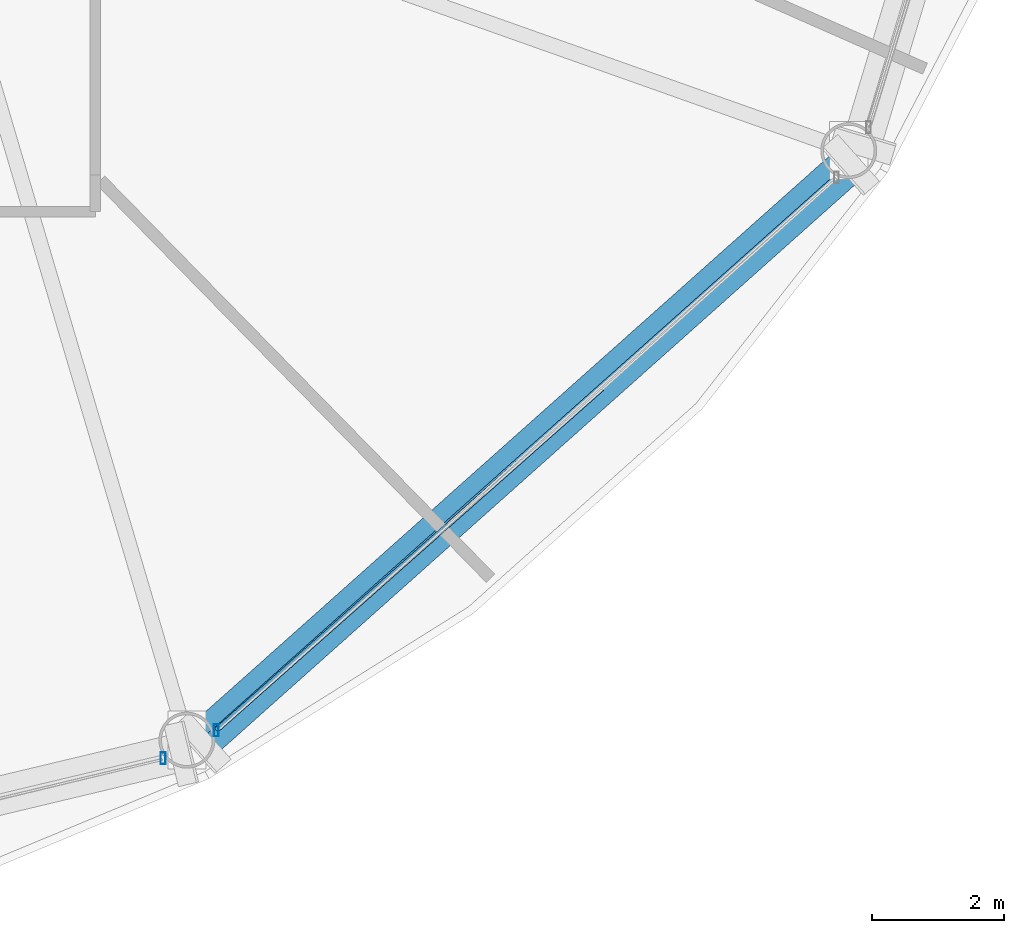
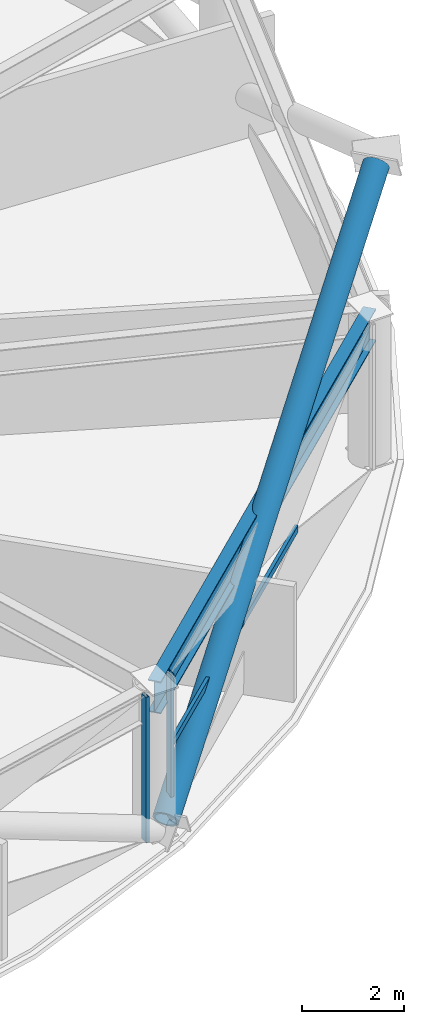
# One storey, part 8 of 30: 4 members, 1 beam, 2 elements without a shape of their own.
"""IFC4 building model written with IfcOpenShell, lengths in metres."""

import ifcopenshell
import ifcopenshell.guid

model = None  # the IFC model being written
_history = None  # IfcOwnerHistory: only IFC2X3 demands one
_inside = {}  # id of a spatial element -> (the spatial element, [elements in it])
_under = {}  # id of a project, library or spatial element -> (it, [spatial elements below it])
_declared = {}  # id of a project -> (the project, [libraries it declares])
_typed = {}  # id of a type object -> (the type object, [elements of that type])
_made_of = {}  # id of a material, layer set ... -> (it, [elements and type objects made of it])


def new_model(schema):
    """Start an empty IFC model of exactly this schema.

    Asked for "IFC4X3", IfcOpenShell would pick the latest addendum, in which some entities
    have other attributes; the version numbers below select the first issue.
    IFC2X3 requires an IfcOwnerHistory on every rooted entity: one is made here for all.
    """
    global model, _history
    if schema == "IFC4X3":
        model = ifcopenshell.file(schema_version=(4, 3, 0, 0))
    else:
        model = ifcopenshell.file(schema=schema)
    _inside.clear()
    _under.clear()
    _declared.clear()
    _typed.clear()
    _made_of.clear()
    _history = None
    if model.schema == "IFC2X3":
        org = make("IfcOrganization", Name="unknown")
        user = make(
            "IfcPersonAndOrganization",
            ThePerson=make("IfcPerson", FamilyName="unknown"),
            TheOrganization=org,
        )
        app = make(
            "IfcApplication",
            ApplicationDeveloper=org,
            Version="unknown",
            ApplicationFullName="unknown",
            ApplicationIdentifier="unknown",
        )
        _history = make(
            "IfcOwnerHistory",
            OwningUser=user,
            OwningApplication=app,
            ChangeAction="ADDED",
            CreationDate=0,
        )
    return model


def make(cls, **values):
    """One entity of the class cls with the attributes given. An attribute that is None is left unset."""
    return model.create_entity(
        cls, **{name: value for name, value in values.items() if value is not None}
    )


def rooted(cls, **values):
    """An entity with a GlobalId (a new one), such as an element, a storey or a relation."""
    return make(cls, GlobalId=ifcopenshell.guid.new(), OwnerHistory=_history, **values)


def si_unit(unit_type, name, prefix=None):
    """IfcSIUnit, for example si_unit("LENGTHUNIT", "METRE", prefix="MILLI")."""
    return make("IfcSIUnit", UnitType=unit_type, Prefix=prefix, Name=name)


def assignment(units):
    """IfcUnitAssignment: the units of a project."""
    return None if units is None else make("IfcUnitAssignment", Units=units)


def point(xyz):
    """IfcCartesianPoint."""
    return None if xyz is None else make("IfcCartesianPoint", Coordinates=xyz)


def direction(xyz):
    """IfcDirection."""
    return None if xyz is None else make("IfcDirection", DirectionRatios=xyz)


def frame(location, z_axis=None, x_axis=None):
    """IfcAxis2Placement3D, a coordinate frame: its origin and axes. An axis left out is left unset."""
    return make(
        "IfcAxis2Placement3D",
        Location=point(location),
        Axis=direction(z_axis),
        RefDirection=direction(x_axis),
    )


def frame_2d(location, x_axis=None):
    """IfcAxis2Placement2D, a coordinate frame in the plane: its origin and x axis."""
    return make(
        "IfcAxis2Placement2D", Location=point(location), RefDirection=direction(x_axis)
    )


def origin():
    """The frame at (0, 0, 0) with its axes left unset."""
    return frame((0.0, 0.0, 0.0))


def origin_2d():
    """The frame at (0, 0) in the plane with its x axis left unset."""
    return frame_2d((0.0, 0.0))


def place(relative_to, where):
    """IfcLocalPlacement: puts the frame where relative to a parent placement (None: the world)."""
    return make(
        "IfcLocalPlacement", PlacementRelTo=relative_to, RelativePlacement=where
    )


def context(
    kind, dimensions, precision=None, world=None, true_north=None, identifier=None
):
    """IfcGeometricRepresentationContext, for example the 3D "Model" context."""
    return make(
        "IfcGeometricRepresentationContext",
        ContextIdentifier=identifier,
        ContextType=kind,
        CoordinateSpaceDimension=dimensions,
        Precision=precision,
        WorldCoordinateSystem=world,
        TrueNorth=true_north,
    )


def subcontext(parent, identifier, kind, view, scale=None):
    """IfcGeometricRepresentationSubContext, for example "Body" below "Model"."""
    return make(
        "IfcGeometricRepresentationSubContext",
        ContextIdentifier=identifier,
        ContextType=kind,
        ParentContext=parent,
        TargetScale=scale,
        TargetView=view,
    )


def project(units=None, contexts=None):
    """IfcProject with its units and contexts."""
    return rooted(
        "IfcProject",
        Name="project",
        RepresentationContexts=contexts,
        UnitsInContext=assignment(units),
    )


def spatial(cls, under=None, at=None, **own):
    """A site, building, storey or space (cls), placed at a placement, below another one or the project."""
    s = rooted(cls, ObjectPlacement=at, **own)
    if under is not None:
        _under.setdefault(under.id(), (under, []))[1].append(s)
    return s


def profile(cls, at=None, kind="AREA", **sizes):
    """A parametric profile (cls). Its sizes go by their IFC names, for example OverallWidth=200.0."""
    return make(cls, ProfileType=kind, Position=at, **sizes)


def hollow_rectangle(**sizes):
    """IfcRectangleHollowProfileDef."""
    return profile("IfcRectangleHollowProfileDef", **sizes)


def hollow_circle(**sizes):
    """IfcCircleHollowProfileDef."""
    return profile("IfcCircleHollowProfileDef", **sizes)


def i_section(**sizes):
    """IfcIShapeProfileDef."""
    return profile("IfcIShapeProfileDef", **sizes)


def extrude(swept, where, along, depth):
    """IfcExtrudedAreaSolid: the profile swept, set in the frame where, extruded along a direction by depth."""
    return make(
        "IfcExtrudedAreaSolid",
        SweptArea=swept,
        Position=where,
        ExtrudedDirection=direction(along),
        Depth=depth,
    )


def shape(context_of_items, identifier, shape_type, items):
    """IfcShapeRepresentation: the items that make up one representation, for example the "Body"."""
    return make(
        "IfcShapeRepresentation",
        ContextOfItems=context_of_items,
        RepresentationIdentifier=identifier,
        RepresentationType=shape_type,
        Items=items,
    )


def material(Name=None, Category=None):
    """IfcMaterial."""
    return make("IfcMaterial", Name=Name, Category=Category)


def layer(
    of_material, thickness, ventilated=None, Name=None, Category=None, Priority=None
):
    """IfcMaterialLayer: one layer of a wall or slab, of a material (None: an air gap)."""
    return make(
        "IfcMaterialLayer",
        Material=of_material,
        LayerThickness=thickness,
        IsVentilated=ventilated,
        Name=Name,
        Category=Category,
        Priority=Priority,
    )


def layer_set(layers, Name=None):
    """IfcMaterialLayerSet."""
    return make("IfcMaterialLayerSet", MaterialLayers=layers, LayerSetName=Name)


def material_profile(
    of_material, cross_section, Name=None, Category=None, Priority=None
):
    """IfcMaterialProfile: a cross section and its material."""
    return make(
        "IfcMaterialProfile",
        Name=Name,
        Material=of_material,
        Profile=cross_section,
        Priority=Priority,
        Category=Category,
    )


def profile_set(profiles, Name=None, composite=None):
    """IfcMaterialProfileSet."""
    return make(
        "IfcMaterialProfileSet",
        Name=Name,
        MaterialProfiles=profiles,
        CompositeProfile=composite,
    )


def made_of(thing, what):
    """Note that an element or type object is made of a material, layer set ...; save() writes the relation."""
    if what is not None:
        _made_of.setdefault(what.id(), (what, []))[1].append(thing)
    return thing


def type_object(cls, material=None, **own):
    """A type object (cls), such as IfcWallType, which elements share."""
    return made_of(rooted(cls, **own), material)


def element(
    cls,
    number,
    at=None,
    inside=None,
    cuts=None,
    type_object=None,
    material=None,
    context=None,
    identifier="Body",
    shape_type=None,
    held_by="IfcProductDefinitionShape",
    body=None,
    shapes=None,
    **own,
):
    """One element of the class cls, such as IfcWall. Its Tag is "e" and its number.

    at: its placement. inside: the storey or other place that contains it. cuts: it is an
    opening in that element (IfcRelVoidsElement). A single representation is given by context,
    identifier, shape_type and body (its items); several are given by shapes. held_by: the class
    of the entity that holds the representations. save() writes the other relations.
    """
    e = rooted(cls, Tag="e%d" % number, ObjectPlacement=at, **own)
    if body is not None:
        shapes = [shape(context, identifier, shape_type, body)]
    if shapes is not None:
        e.Representation = make(held_by, Representations=shapes)
    if inside is not None:
        _inside.setdefault(inside.id(), (inside, []))[1].append(e)
    if cuts is not None:
        rooted(
            "IfcRelVoidsElement", RelatingBuildingElement=cuts, RelatedOpeningElement=e
        )
    if type_object is not None:
        _typed.setdefault(type_object.id(), (type_object, []))[1].append(e)
    return made_of(e, material)


def aggregate(whole, parts):
    """IfcRelAggregates: a whole, such as a stair, and the parts it consists of."""
    return rooted("IfcRelAggregates", RelatingObject=whole, RelatedObjects=parts)


def save(model, path):
    """Write the relations noted so far, then the file.

    IfcRelAggregates (storeys below a building ...), IfcRelContainedInSpatialStructure (elements
    in a storey), IfcRelDefinesByType, IfcRelAssociatesMaterial and IfcRelDeclares: one each for
    every whole, place, type object, material and project.
    """
    for whole, parts in _under.values():
        aggregate(whole, parts)
    for where, things in _inside.values():
        rooted(
            "IfcRelContainedInSpatialStructure",
            RelatedElements=things,
            RelatingStructure=where,
        )
    for kind, things in _typed.values():
        rooted("IfcRelDefinesByType", RelatedObjects=things, RelatingType=kind)
    for what, things in _made_of.values():
        rooted("IfcRelAssociatesMaterial", RelatedObjects=things, RelatingMaterial=what)
    for by, libraries in _declared.values():
        rooted("IfcRelDeclares", RelatingContext=by, RelatedDefinitions=libraries)
    model.write(path)


model = new_model("IFC4")

# Units and contexts
model_context = context("Model", 3, precision=1e-05, world=origin(), true_north=direction((0.0, 1.0)))
body_context = subcontext(model_context, "Body", "Model", "MODEL_VIEW")
ifc_project = project(units=[si_unit("LENGTHUNIT", "METRE"), si_unit("AREAUNIT", "SQUARE_METRE"), si_unit("VOLUMEUNIT", "CUBIC_METRE"), si_unit("PLANEANGLEUNIT", "RADIAN"), si_unit("MASSUNIT", "GRAM", prefix="KILO")], contexts=[model_context])

# Site, building, storey
site_placement = place(None, origin())
site = spatial("IfcSite", under=ifc_project, at=site_placement, CompositionType="ELEMENT")
building_placement = place(site_placement, origin())
building = spatial("IfcBuilding", under=site, at=building_placement, Name="Vantalir Tower", CompositionType="ELEMENT")
storey_placement = place(building_placement, frame((0.0, 0.0, 57.0)))
storey = spatial("IfcBuildingStorey", under=building, at=storey_placement, Name="L13", CompositionType="ELEMENT", Elevation=57.0)

# Beam
ifc_material_1 = material(Name="Steel S460", Category="steel")
ifc_material_profile_1 = material_profile(ifc_material_1, i_section(OverallWidth=0.26806640625, OverallDepth=0.77001953125, WebThickness=0.015625, FlangeThickness=0.025390625, at=origin_2d()), Name="Steel S460")
ifc_profile_set_1 = profile_set([ifc_material_profile_1], Name="Steel S460")
beam_type = type_object("IfcBeamType", Name="BM-RG-762x267", PredefinedType="USERDEFINED", material=ifc_profile_set_1)
beam_placement = place(storey_placement, frame((45.22607421875, 3.824951171875, 3.18505859375), z_axis=(0.746729154428, 0.665128235701, 0.0), x_axis=(-0.665128235701, 0.746729154428, 0.0)))
element("IfcBeam", 1, at=beam_placement, inside=storey, type_object=beam_type, Name="L13 Circumferential Ring Girder 11", ObjectType="GIRDER", PredefinedType="USERDEFINED", context=body_context, shape_type="SweptSolid", body=[
    extrude(i_section(OverallWidth=0.26806640625, OverallDepth=0.77001953125, WebThickness=0.015625, FlangeThickness=0.025390625, at=origin_2d()), origin(), (0.0, 0.0, 1.0), 13.45458984375),
])

# Curtain wall, member
ifc_material_2 = material(Name="Champagne-silver PVDF aluminium and double-silver Low-E glass", Category="aluminium")
ifc_layer = layer(ifc_material_2, 0.18994140625)
ifc_layer_set = layer_set([ifc_layer], Name="Champagne-silver PVDF aluminium and double-silver Low-E glass")
curtain_wall_type = type_object("IfcCurtainWallType", Name="CW-DIAMOND-Z1", PredefinedType="USERDEFINED", material=ifc_layer_set)
curtain_wall_1_placement = place(storey_placement, origin())
curtain_wall_1 = element("IfcCurtainWall", 2, at=curtain_wall_1_placement, inside=storey, type_object=curtain_wall_type, Name="L13 Quilted Pyramid-Diamond Curtain Wall S10", ObjectType="UNITISED CURTAIN WALL", PredefinedType="USERDEFINED")
ifc_material_3 = material(Name="Champagne-silver PVDF aluminium 6063-T6", Category="aluminium")
ifc_material_profile_2 = material_profile(ifc_material_3, hollow_rectangle(XDim=0.074951171875, YDim=0.179931640625, WallThickness=0.00390625, at=origin_2d()), Name="Champagne-silver PVDF aluminium 6063-T6")
ifc_profile_set_2 = profile_set([ifc_material_profile_2], Name="Champagne-silver PVDF aluminium 6063-T6")
member_type_1 = type_object("IfcMemberType", Name="CWM-180x75", PredefinedType="MULLION", material=ifc_profile_set_2)
member_1_placement = place(storey_placement, frame((44.864013671875, 3.551025390625, 0.044921875), z_axis=(0.0, 0.0, 1.0), x_axis=(1.0, 0.0, 0.0)))
member_1 = element("IfcMember", 3, at=member_1_placement, type_object=member_type_1, Name="CW-L13-S10 Mullion 2", PredefinedType="MULLION", context=body_context, shape_type="SweptSolid", body=[
    extrude(hollow_rectangle(XDim=0.074951171875, YDim=0.179931640625, WallThickness=0.00390625, at=origin_2d()), origin(), (0.0, 0.0, 1.0), 3.47998046875),
])
aggregate(curtain_wall_1, [member_1])

# Curtain wall, members
curtain_wall_2_placement = place(storey_placement, origin())
curtain_wall_2 = element("IfcCurtainWall", 4, at=curtain_wall_2_placement, inside=storey, type_object=curtain_wall_type, Name="L13 Quilted Pyramid-Diamond Curtain Wall S11", ObjectType="UNITISED CURTAIN WALL", PredefinedType="USERDEFINED")
member_2_placement = place(storey_placement, frame((45.672119140625, 3.972900390625, 0.044921875), z_axis=(0.0, 0.0, 1.0), x_axis=(1.0, 0.0, 0.0)))
member_2 = element("IfcMember", 5, at=member_2_placement, type_object=member_type_1, Name="CW-L13-S11 Mullion 1", PredefinedType="MULLION", context=body_context, shape_type="SweptSolid", body=[
    extrude(hollow_rectangle(XDim=0.074951171875, YDim=0.179931640625, WallThickness=0.00390625, at=origin_2d()), origin(), (0.0, 0.0, 1.0), 3.47998046875),
])
ifc_material_profile_3 = material_profile(ifc_material_3, hollow_rectangle(XDim=0.074951171875, YDim=0.159912109375, WallThickness=0.00390625, at=origin_2d()), Name="Champagne-silver PVDF aluminium 6063-T6")
ifc_profile_set_3 = profile_set([ifc_material_profile_3], Name="Champagne-silver PVDF aluminium 6063-T6")
member_type_2 = type_object("IfcMemberType", Name="CWT-160x75", PredefinedType="USERDEFINED", material=ifc_profile_set_3)
member_3_placement = place(storey_placement, frame((45.672119140625, 3.972900390625, 1.784912109375), z_axis=(0.748429304401, 0.663214577881, 0.0), x_axis=(-0.663214577881, 0.748429304401, 0.0)))
member_3 = element("IfcMember", 6, at=member_3_placement, type_object=member_type_2, Name="CW-L13-S11 Pyramid Fold Ridge Transom", ObjectType="TRANSOM", PredefinedType="USERDEFINED", context=body_context, shape_type="SweptSolid", body=[
    extrude(hollow_rectangle(XDim=0.074951171875, YDim=0.159912109375, WallThickness=0.00390625, at=origin_2d()), origin(), (0.0, 0.0, 1.0), 7.82421875),
])
aggregate(curtain_wall_2, [member_2, member_3])

# Member
ifc_material_profile_4 = material_profile(ifc_material_1, hollow_circle(Radius=0.27001953125, WallThickness=0.044921875, at=origin_2d()), Name="Steel S460")
ifc_profile_set_4 = profile_set([ifc_material_profile_4], Name="Steel S460")
member_type_3 = type_object("IfcMemberType", Name="MEM-DB-540x45", PredefinedType="BRACE", material=ifc_profile_set_4)
member_4_placement = place(storey_placement, frame((45.466064453125, 3.7890625, 0.18310546875), z_axis=(0.660015885507, 0.588424388249, 0.467050072468), x_axis=(-0.665464652768, 0.746429364318, 0.0)))
element("IfcMember", 7, at=member_4_placement, inside=storey, type_object=member_type_3, Name="L13 Perimeter S460 Diagrid Brace R31L", PredefinedType="BRACE", context=body_context, shape_type="SweptSolid", body=[
    extrude(hollow_circle(Radius=0.27001953125, WallThickness=0.044921875, at=origin_2d()), origin(), (0.0, 0.0, 1.0), 14.888916015625),
])

save(model, "model.ifc")
